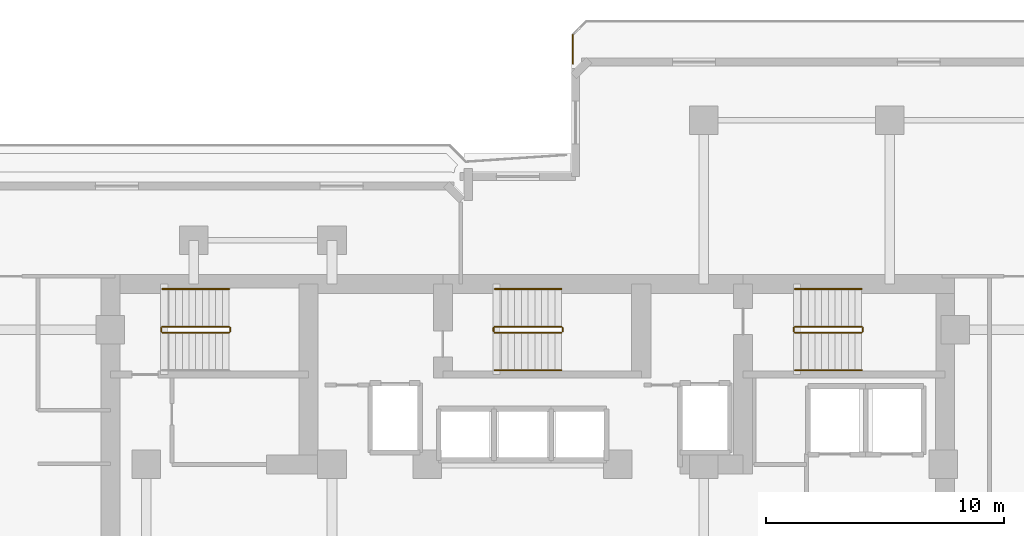
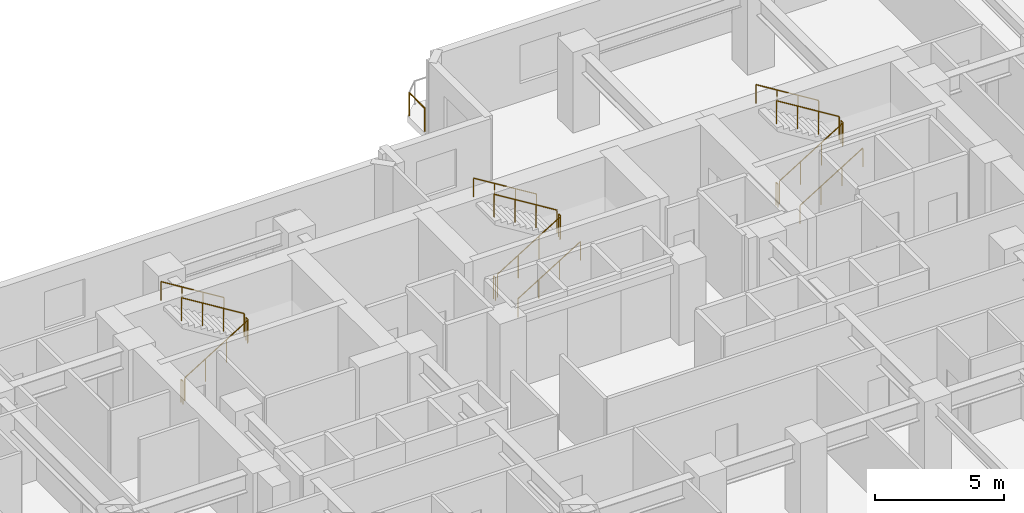
# One storey, part 12 of 12: 18 railings.
"""IFC4 building model written with IfcOpenShell, lengths in metres."""

from ifc_helpers import new_model, si_unit, direction, frame, origin, origin_2d, place, context, subcontext, project, spatial, circle, extrude, material, type_object, element, save


model = new_model("IFC4")

# Units and contexts
model_context = context("Model", 3, precision=1e-05, world=origin(), true_north=direction((0.0, 1.0)))
body_context = subcontext(model_context, "Body", "Model", "MODEL_VIEW")
ifc_project = project(units=[si_unit("LENGTHUNIT", "METRE"), si_unit("AREAUNIT", "SQUARE_METRE"), si_unit("VOLUMEUNIT", "CUBIC_METRE"), si_unit("PLANEANGLEUNIT", "RADIAN"), si_unit("MASSUNIT", "GRAM", prefix="KILO")], contexts=[model_context])

# Site, building, storey
site_placement = place(None, origin())
site = spatial("IfcSite", under=ifc_project, at=site_placement, CompositionType="ELEMENT")
building_placement = place(site_placement, origin())
building = spatial("IfcBuilding", under=site, at=building_placement, Name="Kestravale Grand Hotel", CompositionType="ELEMENT")
storey_placement = place(building_placement, frame((0.0, 0.0, 80.39990234375)))
storey = spatial("IfcBuildingStorey", under=building, at=storey_placement, Name="L19", CompositionType="ELEMENT", Elevation=80.39990234375)

# Railings
ifc_material_1 = material(Name="Champagne-bronze stainless steel and laminated glass guard", Category="steel")
railing_type_1 = type_object("IfcRailingType", Name="RL-EXT-1100", PredefinedType="GUARDRAIL", material=ifc_material_1)
railing_1_placement = place(storey_placement, frame((41.31005859375, 49.571044921875, 0.0)))
element("IfcRailing", 1, at=railing_1_placement, inside=storey, type_object=railing_type_1, Name="L19 outdoor terrace guard 2", PredefinedType="GUARDRAIL", context=body_context, shape_type="SweptSolid", body=[
    extrude(circle(Radius=0.02392578125, at=origin_2d()), frame((0.0, 0.0, 1.09619140625), z_axis=(0.0, 1.0, 0.0), x_axis=(-1.0, 0.0, 0.0)), (0.0, 0.0, 1.0), 1.2041015625),
    extrude(circle(Radius=0.02099609375, at=origin_2d()), origin(), (0.0, 0.0, 1.0), 1.072021484375),
    extrude(circle(Radius=0.02099609375, at=origin_2d()), frame((0.0, 1.2041015625, 0.0)), (0.0, 0.0, 1.0), 1.072021484375),
])
ifc_material_2 = material(Name="Painted tubular steel stair well guard", Category="steel")
railing_type_2 = type_object("IfcRailingType", Name="RL-ST-GRD1100", PredefinedType="GUARDRAIL", material=ifc_material_2)
railing_2_placement = place(storey_placement, frame((24.080078125, 38.280029296875, 0.1728515625)))
element("IfcRailing", 2, at=railing_2_placement, inside=storey, type_object=railing_type_2, Name="L19 ST-1 stair guard 1", PredefinedType="GUARDRAIL", context=body_context, shape_type="SweptSolid", body=[
    extrude(circle(Radius=0.02392578125, at=origin_2d()), frame((0.0, 0.0, 1.076171875), z_axis=(0.851069175582, 0.0, 0.525053576669), x_axis=(0.0, 1.0, 0.0)), (0.0, 0.0, 1.0), 3.289794921875),
    extrude(circle(Radius=0.02099609375, at=origin_2d()), origin(), (0.0, 0.0, 1.0), 1.052001953125),
    extrude(circle(Radius=0.02099609375, at=origin_2d()), frame((0.933349609375, 0.0, 0.57568359375)), (0.0, 0.0, 1.0), 1.052001953125),
    extrude(circle(Radius=0.02099609375, at=origin_2d()), frame((1.866455078125, 0.0, 1.151611328125)), (0.0, 0.0, 1.0), 1.052001953125),
    extrude(circle(Radius=0.02099609375, at=origin_2d()), frame((2.7998046875, 0.0, 1.727294921875)), (0.0, 0.0, 1.0), 1.052001953125),
])
railing_3_placement = place(storey_placement, frame((26.929931640625, 38.330078125, 1.900146484375)))
element("IfcRailing", 3, at=railing_3_placement, inside=storey, type_object=railing_type_2, Name="L19 ST-1 stair guard 2", PredefinedType="GUARDRAIL", context=body_context, shape_type="SweptSolid", body=[
    extrude(circle(Radius=0.02392578125, at=origin_2d()), frame((0.0, 0.0, 1.076171875), z_axis=(0.0, 1.0, 0.0), x_axis=(-1.0, 0.0, 0.0)), (0.0, 0.0, 1.0), 0.14990234375),
    extrude(circle(Radius=0.02099609375, at=origin_2d()), origin(), (0.0, 0.0, 1.0), 1.052001953125),
    extrude(circle(Radius=0.02099609375, at=origin_2d()), frame((0.0, 0.14990234375, 0.0)), (0.0, 0.0, 1.0), 1.052001953125),
])
railing_4_placement = place(storey_placement, frame((26.8798828125, 38.530029296875, 2.07275390625)))
element("IfcRailing", 4, at=railing_4_placement, inside=storey, type_object=railing_type_2, Name="L19 ST-1 stair guard 3", PredefinedType="GUARDRAIL", context=body_context, shape_type="SweptSolid", body=[
    extrude(circle(Radius=0.02392578125, at=origin_2d()), frame((0.0, 0.0, 1.076171875), z_axis=(-0.851069175582, 0.0, 0.525053576669), x_axis=(0.0, -1.0, 0.0)), (0.0, 0.0, 1.0), 3.289794921875),
    extrude(circle(Radius=0.02099609375, at=origin_2d()), origin(), (0.0, 0.0, 1.0), 1.052001953125),
    extrude(circle(Radius=0.02099609375, at=origin_2d()), frame((-0.933349609375, 0.0, 0.57568359375)), (0.0, 0.0, 1.0), 1.052001953125),
    extrude(circle(Radius=0.02099609375, at=origin_2d()), frame((-1.866455078125, 0.0, 1.151611328125)), (0.0, 0.0, 1.0), 1.052001953125),
    extrude(circle(Radius=0.02099609375, at=origin_2d()), frame((-2.7998046875, 0.0, 1.727294921875)), (0.0, 0.0, 1.0), 1.052001953125),
])
railing_5_placement = place(storey_placement, frame((24.030029296875, 38.330078125, 0.0)))
element("IfcRailing", 5, at=railing_5_placement, inside=storey, type_object=railing_type_2, Name="L19 ST-1 stair guard 4", PredefinedType="GUARDRAIL", context=body_context, shape_type="SweptSolid", body=[
    extrude(circle(Radius=0.02392578125, at=origin_2d()), frame((0.0, 0.0, 1.076171875), z_axis=(0.0, 1.0, 0.0), x_axis=(-1.0, 0.0, 0.0)), (0.0, 0.0, 1.0), 0.14990234375),
    extrude(circle(Radius=0.02099609375, at=origin_2d()), origin(), (0.0, 0.0, 1.0), 1.052001953125),
    extrude(circle(Radius=0.02099609375, at=origin_2d()), frame((0.0, 0.14990234375, 0.0)), (0.0, 0.0, 1.0), 1.052001953125),
])
railing_6_placement = place(storey_placement, frame((38.030029296875, 38.280029296875, 0.1728515625)))
element("IfcRailing", 6, at=railing_6_placement, inside=storey, type_object=railing_type_2, Name="L19 ST-2 stair guard 1", PredefinedType="GUARDRAIL", context=body_context, shape_type="SweptSolid", body=[
    extrude(circle(Radius=0.02392578125, at=origin_2d()), frame((0.0, 0.0, 1.076171875), z_axis=(0.851089632645, 0.0, 0.525020415988), x_axis=(0.0, 1.0, 0.0)), (0.0, 0.0, 1.0), 3.2900390625),
    extrude(circle(Radius=0.02099609375, at=origin_2d()), origin(), (0.0, 0.0, 1.0), 1.052001953125),
    extrude(circle(Radius=0.02099609375, at=origin_2d()), frame((0.933349609375, 0.0, 0.57568359375)), (0.0, 0.0, 1.0), 1.052001953125),
    extrude(circle(Radius=0.02099609375, at=origin_2d()), frame((1.86669921875, 0.0, 1.151611328125)), (0.0, 0.0, 1.0), 1.052001953125),
    extrude(circle(Radius=0.02099609375, at=origin_2d()), frame((2.800048828125, 0.0, 1.727294921875)), (0.0, 0.0, 1.0), 1.052001953125),
])
railing_7_placement = place(storey_placement, frame((40.8798828125, 38.330078125, 1.900146484375)))
element("IfcRailing", 7, at=railing_7_placement, inside=storey, type_object=railing_type_2, Name="L19 ST-2 stair guard 2", PredefinedType="GUARDRAIL", context=body_context, shape_type="SweptSolid", body=[
    extrude(circle(Radius=0.02392578125, at=origin_2d()), frame((0.0, 0.0, 1.076171875), z_axis=(0.0, 1.0, 0.0), x_axis=(-1.0, 0.0, 0.0)), (0.0, 0.0, 1.0), 0.14990234375),
    extrude(circle(Radius=0.02099609375, at=origin_2d()), origin(), (0.0, 0.0, 1.0), 1.052001953125),
    extrude(circle(Radius=0.02099609375, at=origin_2d()), frame((0.0, 0.14990234375, 0.0)), (0.0, 0.0, 1.0), 1.052001953125),
])
railing_8_placement = place(storey_placement, frame((40.830078125, 38.530029296875, 2.07275390625)))
element("IfcRailing", 8, at=railing_8_placement, inside=storey, type_object=railing_type_2, Name="L19 ST-2 stair guard 3", PredefinedType="GUARDRAIL", context=body_context, shape_type="SweptSolid", body=[
    extrude(circle(Radius=0.02392578125, at=origin_2d()), frame((0.0, 0.0, 1.076171875), z_axis=(-0.851089632645, 0.0, 0.525020415988), x_axis=(0.0, -1.0, 0.0)), (0.0, 0.0, 1.0), 3.2900390625),
    extrude(circle(Radius=0.02099609375, at=origin_2d()), origin(), (0.0, 0.0, 1.0), 1.052001953125),
    extrude(circle(Radius=0.02099609375, at=origin_2d()), frame((-0.933349609375, 0.0, 0.57568359375)), (0.0, 0.0, 1.0), 1.052001953125),
    extrude(circle(Radius=0.02099609375, at=origin_2d()), frame((-1.86669921875, 0.0, 1.151611328125)), (0.0, 0.0, 1.0), 1.052001953125),
    extrude(circle(Radius=0.02099609375, at=origin_2d()), frame((-2.800048828125, 0.0, 1.727294921875)), (0.0, 0.0, 1.0), 1.052001953125),
])
railing_9_placement = place(storey_placement, frame((37.97998046875, 38.330078125, 0.0)))
element("IfcRailing", 9, at=railing_9_placement, inside=storey, type_object=railing_type_2, Name="L19 ST-2 stair guard 4", PredefinedType="GUARDRAIL", context=body_context, shape_type="SweptSolid", body=[
    extrude(circle(Radius=0.02392578125, at=origin_2d()), frame((0.0, 0.0, 1.076171875), z_axis=(0.0, 1.0, 0.0), x_axis=(-1.0, 0.0, 0.0)), (0.0, 0.0, 1.0), 0.14990234375),
    extrude(circle(Radius=0.02099609375, at=origin_2d()), origin(), (0.0, 0.0, 1.0), 1.052001953125),
    extrude(circle(Radius=0.02099609375, at=origin_2d()), frame((0.0, 0.14990234375, 0.0)), (0.0, 0.0, 1.0), 1.052001953125),
])
railing_10_placement = place(storey_placement, frame((50.6298828125, 38.280029296875, 0.1728515625)))
element("IfcRailing", 10, at=railing_10_placement, inside=storey, type_object=railing_type_2, Name="L19 ST-3 stair guard 1", PredefinedType="GUARDRAIL", context=body_context, shape_type="SweptSolid", body=[
    extrude(circle(Radius=0.02392578125, at=origin_2d()), frame((0.0, 0.0, 1.076171875), z_axis=(0.851089632645, 0.0, 0.525020415988), x_axis=(0.0, 1.0, 0.0)), (0.0, 0.0, 1.0), 3.2900390625),
    extrude(circle(Radius=0.02099609375, at=origin_2d()), origin(), (0.0, 0.0, 1.0), 1.052001953125),
    extrude(circle(Radius=0.02099609375, at=origin_2d()), frame((0.933349609375, 0.0, 0.57568359375)), (0.0, 0.0, 1.0), 1.052001953125),
    extrude(circle(Radius=0.02099609375, at=origin_2d()), frame((1.86669921875, 0.0, 1.151611328125)), (0.0, 0.0, 1.0), 1.052001953125),
    extrude(circle(Radius=0.02099609375, at=origin_2d()), frame((2.800048828125, 0.0, 1.727294921875)), (0.0, 0.0, 1.0), 1.052001953125),
])
railing_11_placement = place(storey_placement, frame((53.47998046875, 38.330078125, 1.900146484375)))
element("IfcRailing", 11, at=railing_11_placement, inside=storey, type_object=railing_type_2, Name="L19 ST-3 stair guard 2", PredefinedType="GUARDRAIL", context=body_context, shape_type="SweptSolid", body=[
    extrude(circle(Radius=0.02392578125, at=origin_2d()), frame((0.0, 0.0, 1.076171875), z_axis=(0.0, 1.0, 0.0), x_axis=(-1.0, 0.0, 0.0)), (0.0, 0.0, 1.0), 0.14990234375),
    extrude(circle(Radius=0.02099609375, at=origin_2d()), origin(), (0.0, 0.0, 1.0), 1.052001953125),
    extrude(circle(Radius=0.02099609375, at=origin_2d()), frame((0.0, 0.14990234375, 0.0)), (0.0, 0.0, 1.0), 1.052001953125),
])
railing_12_placement = place(storey_placement, frame((53.429931640625, 38.530029296875, 2.07275390625)))
element("IfcRailing", 12, at=railing_12_placement, inside=storey, type_object=railing_type_2, Name="L19 ST-3 stair guard 3", PredefinedType="GUARDRAIL", context=body_context, shape_type="SweptSolid", body=[
    extrude(circle(Radius=0.02392578125, at=origin_2d()), frame((0.0, 0.0, 1.076171875), z_axis=(-0.851089632645, 0.0, 0.525020415988), x_axis=(0.0, -1.0, 0.0)), (0.0, 0.0, 1.0), 3.2900390625),
    extrude(circle(Radius=0.02099609375, at=origin_2d()), origin(), (0.0, 0.0, 1.0), 1.052001953125),
    extrude(circle(Radius=0.02099609375, at=origin_2d()), frame((-0.933349609375, 0.0, 0.57568359375)), (0.0, 0.0, 1.0), 1.052001953125),
    extrude(circle(Radius=0.02099609375, at=origin_2d()), frame((-1.86669921875, 0.0, 1.151611328125)), (0.0, 0.0, 1.0), 1.052001953125),
    extrude(circle(Radius=0.02099609375, at=origin_2d()), frame((-2.800048828125, 0.0, 1.727294921875)), (0.0, 0.0, 1.0), 1.052001953125),
])
railing_13_placement = place(storey_placement, frame((50.580078125, 38.330078125, 0.0)))
element("IfcRailing", 13, at=railing_13_placement, inside=storey, type_object=railing_type_2, Name="L19 ST-3 stair guard 4", PredefinedType="GUARDRAIL", context=body_context, shape_type="SweptSolid", body=[
    extrude(circle(Radius=0.02392578125, at=origin_2d()), frame((0.0, 0.0, 1.076171875), z_axis=(0.0, 1.0, 0.0), x_axis=(-1.0, 0.0, 0.0)), (0.0, 0.0, 1.0), 0.14990234375),
    extrude(circle(Radius=0.02099609375, at=origin_2d()), origin(), (0.0, 0.0, 1.0), 1.052001953125),
    extrude(circle(Radius=0.02099609375, at=origin_2d()), frame((0.0, 0.14990234375, 0.0)), (0.0, 0.0, 1.0), 1.052001953125),
])
ifc_material_3 = material(Name="Brushed stainless steel wall handrail", Category="steel")
railing_type_3 = type_object("IfcRailingType", Name="RL-ST-HND900", PredefinedType="HANDRAIL", material=ifc_material_3)
railing_14_placement = place(storey_placement, frame((26.8798828125, 40.110107421875, 2.07275390625)))
element("IfcRailing", 14, at=railing_14_placement, inside=storey, type_object=railing_type_3, Name="L19 ST-1 stair handrail 2", PredefinedType="HANDRAIL", context=body_context, shape_type="SweptSolid", body=[
    extrude(circle(Radius=0.02392578125, at=origin_2d()), frame((0.0, 0.0, 0.8759765625), z_axis=(-0.851069175582, 0.0, 0.525053576669), x_axis=(0.0, -1.0, 0.0)), (0.0, 0.0, 1.0), 3.289794921875),
    extrude(circle(Radius=0.02099609375, at=origin_2d()), origin(), (0.0, 0.0, 1.0), 0.851806640625),
    extrude(circle(Radius=0.02099609375, at=origin_2d()), frame((-0.933349609375, 0.0, 0.57568359375)), (0.0, 0.0, 1.0), 0.851806640625),
    extrude(circle(Radius=0.02099609375, at=origin_2d()), frame((-1.866455078125, 0.0, 1.151611328125)), (0.0, 0.0, 1.0), 0.851806640625),
    extrude(circle(Radius=0.02099609375, at=origin_2d()), frame((-2.7998046875, 0.0, 1.727294921875)), (0.0, 0.0, 1.0), 0.851806640625),
])
railing_15_placement = place(storey_placement, frame((38.030029296875, 36.699951171875, 0.1728515625)))
element("IfcRailing", 15, at=railing_15_placement, inside=storey, type_object=railing_type_3, Name="L19 ST-2 stair handrail 1", PredefinedType="HANDRAIL", context=body_context, shape_type="SweptSolid", body=[
    extrude(circle(Radius=0.02392578125, at=origin_2d()), frame((0.0, 0.0, 0.8759765625), z_axis=(0.851089632645, 0.0, 0.525020415988), x_axis=(0.0, 1.0, 0.0)), (0.0, 0.0, 1.0), 3.2900390625),
    extrude(circle(Radius=0.02099609375, at=origin_2d()), origin(), (0.0, 0.0, 1.0), 0.851806640625),
    extrude(circle(Radius=0.02099609375, at=origin_2d()), frame((0.933349609375, 0.0, 0.57568359375)), (0.0, 0.0, 1.0), 0.851806640625),
    extrude(circle(Radius=0.02099609375, at=origin_2d()), frame((1.86669921875, 0.0, 1.151611328125)), (0.0, 0.0, 1.0), 0.851806640625),
    extrude(circle(Radius=0.02099609375, at=origin_2d()), frame((2.800048828125, 0.0, 1.727294921875)), (0.0, 0.0, 1.0), 0.851806640625),
])
railing_16_placement = place(storey_placement, frame((40.830078125, 40.110107421875, 2.07275390625)))
element("IfcRailing", 16, at=railing_16_placement, inside=storey, type_object=railing_type_3, Name="L19 ST-2 stair handrail 2", PredefinedType="HANDRAIL", context=body_context, shape_type="SweptSolid", body=[
    extrude(circle(Radius=0.02392578125, at=origin_2d()), frame((0.0, 0.0, 0.8759765625), z_axis=(-0.851089632645, 0.0, 0.525020415988), x_axis=(0.0, -1.0, 0.0)), (0.0, 0.0, 1.0), 3.2900390625),
    extrude(circle(Radius=0.02099609375, at=origin_2d()), origin(), (0.0, 0.0, 1.0), 0.851806640625),
    extrude(circle(Radius=0.02099609375, at=origin_2d()), frame((-0.933349609375, 0.0, 0.57568359375)), (0.0, 0.0, 1.0), 0.851806640625),
    extrude(circle(Radius=0.02099609375, at=origin_2d()), frame((-1.86669921875, 0.0, 1.151611328125)), (0.0, 0.0, 1.0), 0.851806640625),
    extrude(circle(Radius=0.02099609375, at=origin_2d()), frame((-2.800048828125, 0.0, 1.727294921875)), (0.0, 0.0, 1.0), 0.851806640625),
])
railing_17_placement = place(storey_placement, frame((50.6298828125, 36.699951171875, 0.1728515625)))
element("IfcRailing", 17, at=railing_17_placement, inside=storey, type_object=railing_type_3, Name="L19 ST-3 stair handrail 1", PredefinedType="HANDRAIL", context=body_context, shape_type="SweptSolid", body=[
    extrude(circle(Radius=0.02392578125, at=origin_2d()), frame((0.0, 0.0, 0.8759765625), z_axis=(0.851089632645, 0.0, 0.525020415988), x_axis=(0.0, 1.0, 0.0)), (0.0, 0.0, 1.0), 3.2900390625),
    extrude(circle(Radius=0.02099609375, at=origin_2d()), origin(), (0.0, 0.0, 1.0), 0.851806640625),
    extrude(circle(Radius=0.02099609375, at=origin_2d()), frame((0.933349609375, 0.0, 0.57568359375)), (0.0, 0.0, 1.0), 0.851806640625),
    extrude(circle(Radius=0.02099609375, at=origin_2d()), frame((1.86669921875, 0.0, 1.151611328125)), (0.0, 0.0, 1.0), 0.851806640625),
    extrude(circle(Radius=0.02099609375, at=origin_2d()), frame((2.800048828125, 0.0, 1.727294921875)), (0.0, 0.0, 1.0), 0.851806640625),
])
railing_18_placement = place(storey_placement, frame((53.429931640625, 40.110107421875, 2.07275390625)))
element("IfcRailing", 18, at=railing_18_placement, inside=storey, type_object=railing_type_3, Name="L19 ST-3 stair handrail 2", PredefinedType="HANDRAIL", context=body_context, shape_type="SweptSolid", body=[
    extrude(circle(Radius=0.02392578125, at=origin_2d()), frame((0.0, 0.0, 0.8759765625), z_axis=(-0.851089632645, 0.0, 0.525020415988), x_axis=(0.0, -1.0, 0.0)), (0.0, 0.0, 1.0), 3.2900390625),
    extrude(circle(Radius=0.02099609375, at=origin_2d()), origin(), (0.0, 0.0, 1.0), 0.851806640625),
    extrude(circle(Radius=0.02099609375, at=origin_2d()), frame((-0.933349609375, 0.0, 0.57568359375)), (0.0, 0.0, 1.0), 0.851806640625),
    extrude(circle(Radius=0.02099609375, at=origin_2d()), frame((-1.86669921875, 0.0, 1.151611328125)), (0.0, 0.0, 1.0), 0.851806640625),
    extrude(circle(Radius=0.02099609375, at=origin_2d()), frame((-2.800048828125, 0.0, 1.727294921875)), (0.0, 0.0, 1.0), 0.851806640625),
])

save(model, "model.ifc")
